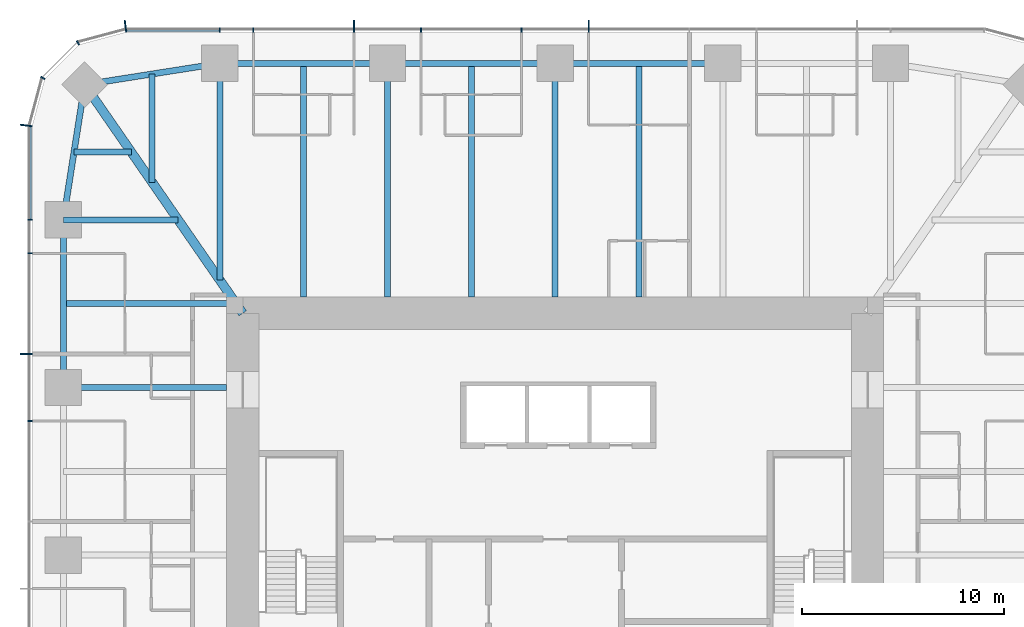
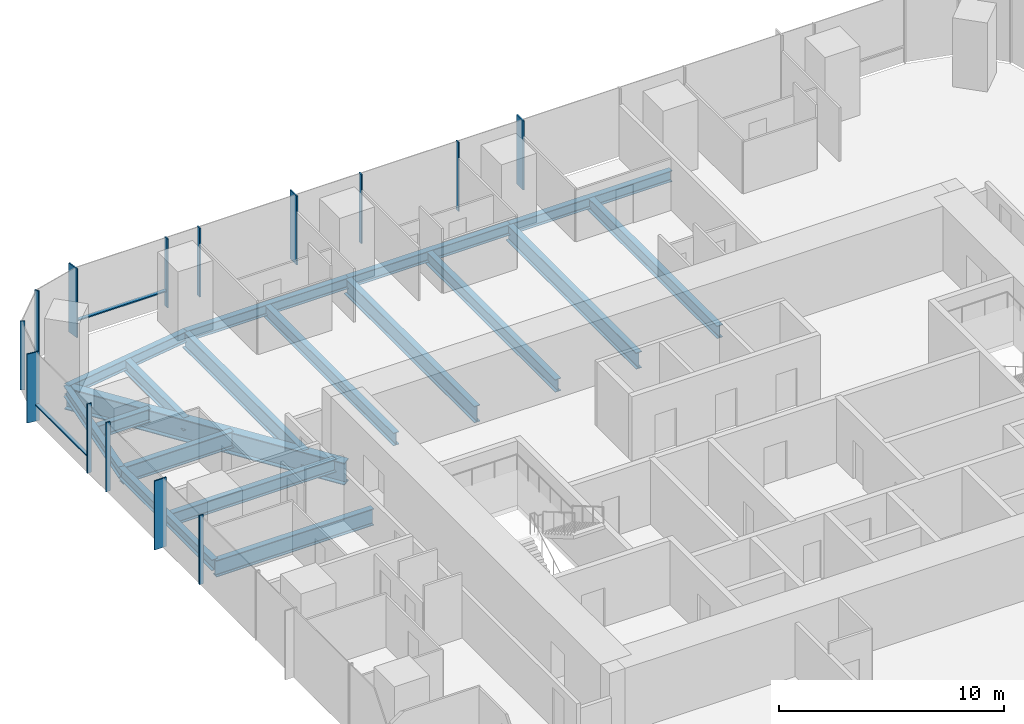
# One storey, part 5 of 12: 18 beams, 16 members, 3 elements without a shape of their own.
"""IFC4 building model written with IfcOpenShell, lengths in metres."""

from ifc_helpers import new_model, si_unit, direction, frame, origin, origin_2d, place, context, subcontext, project, spatial, rectangle, i_section, extrude, material, material_profile, profile_set, type_object, element, aggregate, save


model = new_model("IFC4")

# Units and contexts
model_context = context("Model", 3, precision=1e-05, world=origin(), true_north=direction((0.0, 1.0)))
body_context = subcontext(model_context, "Body", "Model", "MODEL_VIEW")
ifc_project = project(units=[si_unit("LENGTHUNIT", "METRE"), si_unit("AREAUNIT", "SQUARE_METRE"), si_unit("VOLUMEUNIT", "CUBIC_METRE"), si_unit("PLANEANGLEUNIT", "RADIAN"), si_unit("MASSUNIT", "GRAM", prefix="KILO")], contexts=[model_context])

# Site, building, storey
site_placement = place(None, origin())
site = spatial("IfcSite", under=ifc_project, at=site_placement, CompositionType="ELEMENT")
building_placement = place(site_placement, origin())
building = spatial("IfcBuilding", under=site, at=building_placement, Name="Khuree Lantern Residences", CompositionType="ELEMENT")
storey_placement = place(building_placement, frame((0.0, 0.0, 237.0)))
storey = spatial("IfcBuildingStorey", under=building, at=storey_placement, Name="L59", CompositionType="ELEMENT", Elevation=237.0)

# Beams
ifc_material_1 = material(Name="Steel S355", Category="steel")
ifc_material_profile_1 = material_profile(ifc_material_1, i_section(OverallWidth=0.300048828125, OverallDepth=0.68994140625, WebThickness=0.014404296875, FlangeThickness=0.027099609375, FilletRadius=0.027099609375, at=origin_2d()), Name="HE 700 A")
ifc_profile_set_1 = profile_set([ifc_material_profile_1], Name="Steel S355")
beam_type_1 = type_object("IfcBeamType", Name="B-33 SECONDARY BEAM HE 700 A", PredefinedType="BEAM", material=ifc_profile_set_1)
for number, where, z_axis, x_axis, name in (
    (1, (-12.47998046875, 24.39990234375, -0.594970703125), (0.0, -1.0, 0.0), (1.0, 0.0, 0.0), "Secondary beam N1"),
    (2, (-4.159912109375, 24.39990234375, -0.594970703125), (0.0, -1.0, 0.0), (1.0, 0.0, 0.0), "Secondary beam N2"),
    (3, (4.159912109375, 24.39990234375, -0.594970703125), (0.0, -1.0, 0.0), (1.0, 0.0, 0.0), "Secondary beam N3"),
):
    element("IfcBeam", number, at=place(storey_placement, frame(where, z_axis=z_axis, x_axis=x_axis)), inside=storey, type_object=beam_type_1, Name=name, PredefinedType="BEAM", context=body_context, shape_type="SweptSolid", body=[
        extrude(i_section(OverallWidth=0.300048828125, OverallDepth=0.68994140625, WebThickness=0.014404296875, FlangeThickness=0.027099609375, FilletRadius=0.027099609375, at=origin_2d()), origin(), (0.0, 0.0, 1.0), 11.599853515625),
    ])
beam_1_placement = place(storey_placement, frame((-24.39990234375, 12.47998046875, -0.594970703125), z_axis=(1.0, 0.0, 0.0), x_axis=(0.0, 1.0, 0.0)))
element("IfcBeam", 4, at=beam_1_placement, inside=storey, type_object=beam_type_1, Name="Secondary beam W5", PredefinedType="BEAM", context=body_context, shape_type="SweptSolid", body=[
    extrude(i_section(OverallWidth=0.300048828125, OverallDepth=0.68994140625, WebThickness=0.014404296875, FlangeThickness=0.027099609375, FilletRadius=0.027099609375, at=origin_2d()), origin(), (0.0, 0.0, 1.0), 8.56787109375),
])
beam_2_placement = place(storey_placement, frame((-23.872802734375, 19.992919921875, -0.594970703125), z_axis=(1.0, 0.0, 0.0), x_axis=(0.0, 1.0, 0.0)))
element("IfcBeam", 5, at=beam_2_placement, inside=storey, type_object=beam_type_1, Name="Secondary beam W6", PredefinedType="BEAM", context=body_context, shape_type="SweptSolid", body=[
    extrude(i_section(OverallWidth=0.300048828125, OverallDepth=0.68994140625, WebThickness=0.014404296875, FlangeThickness=0.027099609375, FilletRadius=0.027099609375, at=origin_2d()), origin(), (0.0, 0.0, 1.0), 2.845703125),
])
beam_3_placement = place(storey_placement, frame((-19.992919921875, 23.872802734375, -0.594970703125), z_axis=(0.0, -1.0, 0.0), x_axis=(1.0, 0.0, 0.0)))
element("IfcBeam", 6, at=beam_3_placement, inside=storey, type_object=beam_type_1, Name="Secondary beam N6", PredefinedType="BEAM", context=body_context, shape_type="SweptSolid", body=[
    extrude(i_section(OverallWidth=0.300048828125, OverallDepth=0.68994140625, WebThickness=0.014404296875, FlangeThickness=0.027099609375, FilletRadius=0.027099609375, at=origin_2d()), origin(), (0.0, 0.0, 1.0), 5.375732421875),
])
ifc_material_profile_2 = material_profile(ifc_material_1, i_section(OverallWidth=0.300048828125, OverallDepth=0.590087890625, WebThickness=0.012939453125, FlangeThickness=0.02490234375, FilletRadius=0.027099609375, at=origin_2d()), Name="HE 600 A")
ifc_profile_set_2 = profile_set([ifc_material_profile_2], Name="Steel S355")
beam_type_2 = type_object("IfcBeamType", Name="E-33 SPANDREL BEAM HE 600 A", PredefinedType="SPANDREL", material=ifc_profile_set_2)
beam_4_placement = place(storey_placement, frame((-16.639892578125, 24.39990234375, -0.544921875), z_axis=(1.0, 0.0, 0.0), x_axis=(0.0, 1.0, 0.0)))
element("IfcBeam", 7, at=beam_4_placement, inside=storey, type_object=beam_type_2, Name="Spandrel beam N1", PredefinedType="SPANDREL", context=body_context, shape_type="SweptSolid", body=[
    extrude(i_section(OverallWidth=0.300048828125, OverallDepth=0.590087890625, WebThickness=0.012939453125, FlangeThickness=0.02490234375, FilletRadius=0.027099609375, at=origin_2d()), origin(), (0.0, 0.0, 1.0), 8.31982421875),
])
for number, where, z_axis, x_axis, name in (
    (8, (-8.320068359375, 24.39990234375, -0.544921875), (1.0, 0.0, 0.0), (0.0, 1.0, 0.0), "Spandrel beam N2"),
    (9, (0.0, 24.39990234375, -0.544921875), (1.0, 0.0, 0.0), (0.0, 1.0, 0.0), "Spandrel beam N3"),
):
    element("IfcBeam", number, at=place(storey_placement, frame(where, z_axis=z_axis, x_axis=x_axis)), inside=storey, type_object=beam_type_2, Name=name, PredefinedType="SPANDREL", context=body_context, shape_type="SweptSolid", body=[
        extrude(i_section(OverallWidth=0.300048828125, OverallDepth=0.590087890625, WebThickness=0.012939453125, FlangeThickness=0.02490234375, FilletRadius=0.027099609375, at=origin_2d()), origin(), (0.0, 0.0, 1.0), 8.320068359375),
    ])
beam_5_placement = place(storey_placement, frame((-24.39990234375, 8.320068359375, -0.544921875), z_axis=(0.0, 1.0, 0.0), x_axis=(-1.0, 0.0, 0.0)))
element("IfcBeam", 10, at=beam_5_placement, inside=storey, type_object=beam_type_2, Name="Spandrel beam W5", PredefinedType="SPANDREL", context=body_context, shape_type="SweptSolid", body=[
    extrude(i_section(OverallWidth=0.300048828125, OverallDepth=0.590087890625, WebThickness=0.012939453125, FlangeThickness=0.02490234375, FilletRadius=0.027099609375, at=origin_2d()), origin(), (0.0, 0.0, 1.0), 8.31982421875),
])
for number, where, z_axis, x_axis, name in (
    (11, (-24.39990234375, 16.639892578125, -0.544921875), (0.155299507442, 0.98786743189, 0.0), (-0.98786743189, 0.155299507442, 0.0), "Spandrel beam W6"),
    (12, (-23.345703125, 23.345703125, -0.544921875), (0.98786743189, 0.155299507442, 0.0), (-0.155299507442, 0.98786743189, 0.0), "Spandrel beam N6"),
):
    element("IfcBeam", number, at=place(storey_placement, frame(where, z_axis=z_axis, x_axis=x_axis)), inside=storey, type_object=beam_type_2, Name=name, PredefinedType="SPANDREL", context=body_context, shape_type="SweptSolid", body=[
        extrude(i_section(OverallWidth=0.300048828125, OverallDepth=0.590087890625, WebThickness=0.012939453125, FlangeThickness=0.02490234375, FilletRadius=0.027099609375, at=origin_2d()), origin(), (0.0, 0.0, 1.0), 6.7880859375),
    ])

# Curtain wall, members
ifc_material_2 = material(Name="Bronze anodised aluminium", Category="aluminium")
curtain_wall_type_1 = type_object("IfcCurtainWallType", Name="CW-T1 TOWER FACE CURTAIN WALL", PredefinedType="USERDEFINED", material=ifc_material_2)
curtain_wall_1_placement = place(storey_placement, origin())
curtain_wall_1 = element("IfcCurtainWall", 13, at=curtain_wall_1_placement, inside=storey, type_object=curtain_wall_type_1, Name="L59 NORTH FACE CURTAIN WALL", ObjectType="Stick-built curtain wall", PredefinedType="USERDEFINED")
ifc_material_profile_3 = material_profile(ifc_material_2, rectangle(XDim=0.06494140625, YDim=0.60009765625, at=origin_2d()), Name="F1 65X600")
ifc_profile_set_3 = profile_set([ifc_material_profile_3], Name="Bronze anodised aluminium")
member_type_1 = type_object("IfcMemberType", Name="F1 BRONZE FIN MULLION TOWER 65X600", PredefinedType="MULLION", material=ifc_profile_set_3)
member_1_placement = place(storey_placement, frame((1.6640625, 26.25, 0.0), z_axis=(0.0, 0.0, 1.0), x_axis=(-1.0, 0.0, 0.0)))
member_1 = element("IfcMember", 14, at=member_1_placement, type_object=member_type_1, Name="L59 NORTH FACE FIN MULLION 23", PredefinedType="MULLION", context=body_context, shape_type="SweptSolid", body=[
    extrude(rectangle(XDim=0.06494140625, YDim=0.60009765625, at=origin_2d()), origin(), (0.0, 0.0, 1.0), 3.75),
])
member_2_placement = place(storey_placement, frame((-9.98388671875, 26.25, 0.0), z_axis=(0.0, 0.0, 1.0), x_axis=(-1.0, 0.0, 0.0)))
member_2 = element("IfcMember", 15, at=member_2_placement, type_object=member_type_1, Name="L59 NORTH FACE FIN MULLION 26", PredefinedType="MULLION", context=body_context, shape_type="SweptSolid", body=[
    extrude(rectangle(XDim=0.06494140625, YDim=0.60009765625, at=origin_2d()), origin(), (0.0, 0.0, 1.0), 3.75),
])

# Curtain wall, member
curtain_wall_type_2 = type_object("IfcCurtainWallType", Name="CW-T2 TOWER CORNER CURTAIN WALL", PredefinedType="USERDEFINED", material=ifc_material_2)
curtain_wall_2_placement = place(storey_placement, origin())
curtain_wall_2 = element("IfcCurtainWall", 16, at=curtain_wall_2_placement, inside=storey, type_object=curtain_wall_type_2, Name="L59 NORTH-WEST CORNER CURTAIN WALL", ObjectType="Faceted corner curtain wall", PredefinedType="USERDEFINED")
member_3_placement = place(storey_placement, frame((-21.31982421875, 26.25, 0.0), z_axis=(0.0, 0.0, 1.0), x_axis=(-0.991444862943, -0.130526180298, 0.0)))
member_3 = element("IfcMember", 17, at=member_3_placement, type_object=member_type_1, Name="L59 NORTH-WEST CORNER FIN MULLION 29", PredefinedType="MULLION", context=body_context, shape_type="SweptSolid", body=[
    extrude(rectangle(XDim=0.06494140625, YDim=0.60009765625, at=origin_2d()), origin(), (0.0, 0.0, 1.0), 3.75),
])

# Curtain wall, members
curtain_wall_3_placement = place(storey_placement, origin())
curtain_wall_3 = element("IfcCurtainWall", 18, at=curtain_wall_3_placement, inside=storey, type_object=curtain_wall_type_1, Name="L59 WEST FACE CURTAIN WALL", ObjectType="Stick-built curtain wall", PredefinedType="USERDEFINED")
member_4_placement = place(storey_placement, frame((-26.25, 21.31982421875, 0.0), z_axis=(0.0, 0.0, 1.0), x_axis=(-0.130526180298, -0.991444862943, 0.0)))
member_4 = element("IfcMember", 19, at=member_4_placement, type_object=member_type_1, Name="L59 WEST FACE FIN MULLION 32", PredefinedType="MULLION", context=body_context, shape_type="SweptSolid", body=[
    extrude(rectangle(XDim=0.06494140625, YDim=0.60009765625, at=origin_2d()), origin(), (0.0, 0.0, 1.0), 3.75),
])
member_5_placement = place(storey_placement, frame((-26.25, 9.98388671875, 0.0), z_axis=(0.0, 0.0, 1.0), x_axis=(0.0, -1.0, 0.0)))
member_5 = element("IfcMember", 20, at=member_5_placement, type_object=member_type_1, Name="L59 WEST FACE FIN MULLION 35", PredefinedType="MULLION", context=body_context, shape_type="SweptSolid", body=[
    extrude(rectangle(XDim=0.06494140625, YDim=0.60009765625, at=origin_2d()), origin(), (0.0, 0.0, 1.0), 3.75),
])

# Beams
ifc_material_profile_4 = material_profile(ifc_material_1, i_section(OverallWidth=0.300048828125, OverallDepth=0.89990234375, WebThickness=0.0185546875, FlangeThickness=0.034912109375, FilletRadius=0.030029296875, at=origin_2d()), Name="HE 900 B")
ifc_profile_set_4 = profile_set([ifc_material_profile_4], Name="Steel S355")
beam_type_3 = type_object("IfcBeamType", Name="G-33 GIRDER HE 900 B", PredefinedType="BEAM", material=ifc_profile_set_4)
beam_6_placement = place(storey_placement, frame((-16.639892578125, 24.39990234375, -0.699951171875), z_axis=(0.0, -1.0, 0.0), x_axis=(1.0, 0.0, 0.0)))
element("IfcBeam", 21, at=beam_6_placement, inside=storey, type_object=beam_type_3, Name="Girder N1", PredefinedType="BEAM", context=body_context, shape_type="SweptSolid", body=[
    extrude(i_section(OverallWidth=0.300048828125, OverallDepth=0.89990234375, WebThickness=0.0185546875, FlangeThickness=0.034912109375, FilletRadius=0.030029296875, at=origin_2d()), origin(), (0.0, 0.0, 1.0), 10.751220703125),
])
for number, where, z_axis, x_axis, name in (
    (22, (-8.320068359375, 24.39990234375, -0.699951171875), (0.0, -1.0, 0.0), (1.0, 0.0, 0.0), "Girder N2"),
    (23, (0.0, 24.39990234375, -0.699951171875), (0.0, -1.0, 0.0), (1.0, 0.0, 0.0), "Girder N3"),
):
    element("IfcBeam", number, at=place(storey_placement, frame(where, z_axis=z_axis, x_axis=x_axis)), inside=storey, type_object=beam_type_3, Name=name, PredefinedType="BEAM", context=body_context, shape_type="SweptSolid", body=[
        extrude(i_section(OverallWidth=0.300048828125, OverallDepth=0.89990234375, WebThickness=0.0185546875, FlangeThickness=0.034912109375, FilletRadius=0.030029296875, at=origin_2d()), origin(), (0.0, 0.0, 1.0), 11.599853515625),
    ])
beam_7_placement = place(storey_placement, frame((-24.39990234375, 8.320068359375, -0.699951171875), z_axis=(1.0, 0.0, 0.0), x_axis=(0.0, 1.0, 0.0)))
element("IfcBeam", 24, at=beam_7_placement, inside=storey, type_object=beam_type_3, Name="Girder W4", PredefinedType="BEAM", context=body_context, shape_type="SweptSolid", body=[
    extrude(i_section(OverallWidth=0.300048828125, OverallDepth=0.89990234375, WebThickness=0.0185546875, FlangeThickness=0.034912109375, FilletRadius=0.030029296875, at=origin_2d()), origin(), (0.0, 0.0, 1.0), 8.099853515625),
])
beam_8_placement = place(storey_placement, frame((-24.39990234375, 16.639892578125, -0.699951171875), z_axis=(1.0, 0.0, 0.0), x_axis=(0.0, 1.0, 0.0)))
element("IfcBeam", 25, at=beam_8_placement, inside=storey, type_object=beam_type_3, Name="Girder W5", PredefinedType="BEAM", context=body_context, shape_type="SweptSolid", body=[
    extrude(i_section(OverallWidth=0.300048828125, OverallDepth=0.89990234375, WebThickness=0.0185546875, FlangeThickness=0.034912109375, FilletRadius=0.030029296875, at=origin_2d()), origin(), (0.0, 0.0, 1.0), 5.69140625),
])
ifc_material_profile_5 = material_profile(ifc_material_1, i_section(OverallWidth=0.449951171875, OverallDepth=1.199951171875, WebThickness=0.02490234375, FlangeThickness=0.044921875, at=origin_2d()), Name="WELDED I 1200X450X25X45")
ifc_profile_set_5 = profile_set([ifc_material_profile_5], Name="Steel S355")
beam_type_4 = type_object("IfcBeamType", Name="GD-33 CORNER GIRDER WELDED I 1200X450X25X45", PredefinedType="BEAM", material=ifc_profile_set_5)
beam_9_placement = place(storey_placement, frame((-23.345703125, 23.345703125, -0.85009765625), z_axis=(0.56876813501, -0.822497907959, 0.0), x_axis=(0.822497907959, 0.56876813501, 0.0)))
element("IfcBeam", 26, at=beam_9_placement, inside=storey, type_object=beam_type_4, Name="Corner girder NW", PredefinedType="BEAM", context=body_context, shape_type="SweptSolid", body=[
    extrude(i_section(OverallWidth=0.449951171875, OverallDepth=1.199951171875, WebThickness=0.02490234375, FlangeThickness=0.044921875, at=origin_2d()), origin(), (0.0, 0.0, 1.0), 13.794189453125),
])

# Member
ifc_material_profile_6 = material_profile(ifc_material_2, rectangle(XDim=0.06494140625, YDim=0.219970703125, at=origin_2d()), Name="M1 65X220")
ifc_profile_set_6 = profile_set([ifc_material_profile_6], Name="Bronze anodised aluminium")
member_type_2 = type_object("IfcMemberType", Name="M1 BRONZE MULLION TOWER 65X220", PredefinedType="MULLION", material=ifc_profile_set_6)
member_6_placement = place(storey_placement, frame((-1.6640625, 26.06005859375, 0.0), z_axis=(0.0, 0.0, 1.0), x_axis=(-1.0, 0.0, 0.0)))
member_6 = element("IfcMember", 27, at=member_6_placement, type_object=member_type_2, Name="L59 NORTH FACE MULLION 24", PredefinedType="MULLION", context=body_context, shape_type="SweptSolid", body=[
    extrude(rectangle(XDim=0.06494140625, YDim=0.219970703125, at=origin_2d()), origin(), (0.0, 0.0, 1.0), 3.75),
])

member_7_placement = place(storey_placement, frame((-6.656005859375, 26.06005859375, 0.0), z_axis=(0.0, 0.0, 1.0), x_axis=(-1.0, 0.0, 0.0)))
member_7 = element("IfcMember", 28, at=member_7_placement, type_object=member_type_2, Name="L59 NORTH FACE MULLION 25", PredefinedType="MULLION", context=body_context, shape_type="SweptSolid", body=[
    extrude(rectangle(XDim=0.06494140625, YDim=0.219970703125, at=origin_2d()), origin(), (0.0, 0.0, 1.0), 3.75),
])

member_8_placement = place(storey_placement, frame((-14.97607421875, 26.06005859375, 0.0), z_axis=(0.0, 0.0, 1.0), x_axis=(-1.0, 0.0, 0.0)))
member_8 = element("IfcMember", 29, at=member_8_placement, type_object=member_type_2, Name="L59 NORTH FACE MULLION 27", PredefinedType="MULLION", context=body_context, shape_type="SweptSolid", body=[
    extrude(rectangle(XDim=0.06494140625, YDim=0.219970703125, at=origin_2d()), origin(), (0.0, 0.0, 1.0), 3.75),
])

member_9_placement = place(storey_placement, frame((-16.639892578125, 26.06005859375, 0.0), z_axis=(0.0, 0.0, 1.0), x_axis=(-1.0, 0.0, 0.0)))
member_9 = element("IfcMember", 30, at=member_9_placement, type_object=member_type_2, Name="L59 NORTH FACE MULLION 28", PredefinedType="MULLION", context=body_context, shape_type="SweptSolid", body=[
    extrude(rectangle(XDim=0.06494140625, YDim=0.219970703125, at=origin_2d()), origin(), (0.0, 0.0, 1.0), 3.75),
])

member_10_placement = place(storey_placement, frame((-23.679931640625, 25.42236328125, 0.0), z_axis=(0.0, 0.0, 1.0), x_axis=(-0.866025409797, -0.499999989586, 0.0)))
member_10 = element("IfcMember", 31, at=member_10_placement, type_object=member_type_2, Name="L59 NORTH-WEST CORNER MULLION 30", PredefinedType="MULLION", context=body_context, shape_type="SweptSolid", body=[
    extrude(rectangle(XDim=0.06494140625, YDim=0.219970703125, at=origin_2d()), origin(), (0.0, 0.0, 1.0), 3.75),
])

member_11_placement = place(storey_placement, frame((-25.42236328125, 23.679931640625, 0.0), z_axis=(0.0, 0.0, 1.0), x_axis=(-0.499999989586, -0.866025409797, 0.0)))
member_11 = element("IfcMember", 32, at=member_11_placement, type_object=member_type_2, Name="L59 NORTH-WEST CORNER MULLION 31", PredefinedType="MULLION", context=body_context, shape_type="SweptSolid", body=[
    extrude(rectangle(XDim=0.06494140625, YDim=0.219970703125, at=origin_2d()), origin(), (0.0, 0.0, 1.0), 3.75),
])

aggregate(curtain_wall_2, [member_3, member_10, member_11])

member_12_placement = place(storey_placement, frame((-26.06005859375, 16.639892578125, 0.0), z_axis=(0.0, 0.0, 1.0), x_axis=(0.0, -1.0, 0.0)))
member_12 = element("IfcMember", 33, at=member_12_placement, type_object=member_type_2, Name="L59 WEST FACE MULLION 33", PredefinedType="MULLION", context=body_context, shape_type="SweptSolid", body=[
    extrude(rectangle(XDim=0.06494140625, YDim=0.219970703125, at=origin_2d()), origin(), (0.0, 0.0, 1.0), 3.75),
])

member_13_placement = place(storey_placement, frame((-26.06005859375, 14.97607421875, 0.0), z_axis=(0.0, 0.0, 1.0), x_axis=(0.0, -1.0, 0.0)))
member_13 = element("IfcMember", 34, at=member_13_placement, type_object=member_type_2, Name="L59 WEST FACE MULLION 34", PredefinedType="MULLION", context=body_context, shape_type="SweptSolid", body=[
    extrude(rectangle(XDim=0.06494140625, YDim=0.219970703125, at=origin_2d()), origin(), (0.0, 0.0, 1.0), 3.75),
])

member_14_placement = place(storey_placement, frame((-26.06005859375, 6.656005859375, 0.0), z_axis=(0.0, 0.0, 1.0), x_axis=(0.0, -1.0, 0.0)))
member_14 = element("IfcMember", 35, at=member_14_placement, type_object=member_type_2, Name="L59 WEST FACE MULLION 36", PredefinedType="MULLION", context=body_context, shape_type="SweptSolid", body=[
    extrude(rectangle(XDim=0.06494140625, YDim=0.219970703125, at=origin_2d()), origin(), (0.0, 0.0, 1.0), 3.75),
])

ifc_material_profile_7 = material_profile(ifc_material_2, rectangle(XDim=0.179931640625, YDim=0.06494140625, at=origin_2d()), Name="T1 180X65")
ifc_profile_set_7 = profile_set([ifc_material_profile_7], Name="Bronze anodised aluminium")
member_type_3 = type_object("IfcMemberType", Name="TRANSOM T1 TOWER 180X65", PredefinedType="USERDEFINED", material=ifc_profile_set_7)
member_15_placement = place(storey_placement, frame((-16.672607421875, 26.070068359375, 0.89990234375), z_axis=(-1.0, 0.0, 0.0), x_axis=(0.0, -1.0, 0.0)))
member_15 = element("IfcMember", 36, at=member_15_placement, type_object=member_type_3, Name="L59 NORTH FACE TRANSOM 28.1", ObjectType="Transom", PredefinedType="USERDEFINED", context=body_context, shape_type="SweptSolid", body=[
    extrude(rectangle(XDim=0.179931640625, YDim=0.06494140625, at=origin_2d()), origin(), (0.0, 0.0, 1.0), 4.578857421875),
])

aggregate(curtain_wall_1, [member_1, member_6, member_7, member_2, member_8, member_9, member_15])

member_16_placement = place(storey_placement, frame((-26.070068359375, 21.25146484375, 0.89990234375), z_axis=(0.0, -1.0, 0.0), x_axis=(1.0, 0.0, 0.0)))
member_16 = element("IfcMember", 37, at=member_16_placement, type_object=member_type_3, Name="L59 WEST FACE TRANSOM 32.1", ObjectType="Transom", PredefinedType="USERDEFINED", context=body_context, shape_type="SweptSolid", body=[
    extrude(rectangle(XDim=0.179931640625, YDim=0.06494140625, at=origin_2d()), origin(), (0.0, 0.0, 1.0), 4.578857421875),
])

aggregate(curtain_wall_3, [member_4, member_12, member_13, member_5, member_14, member_16])

save(model, "model.ifc")
